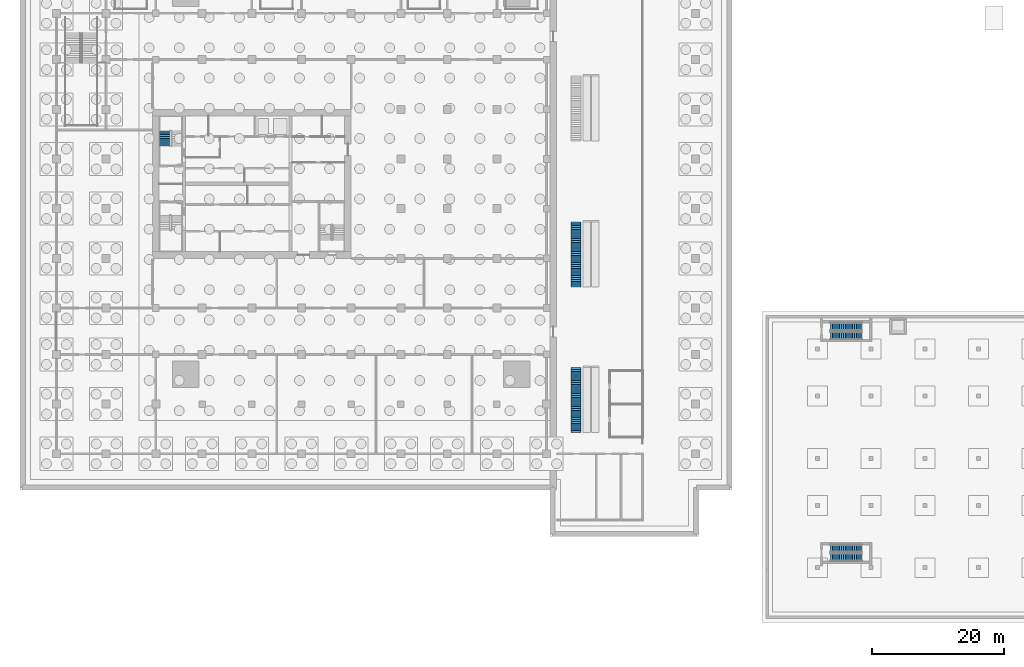
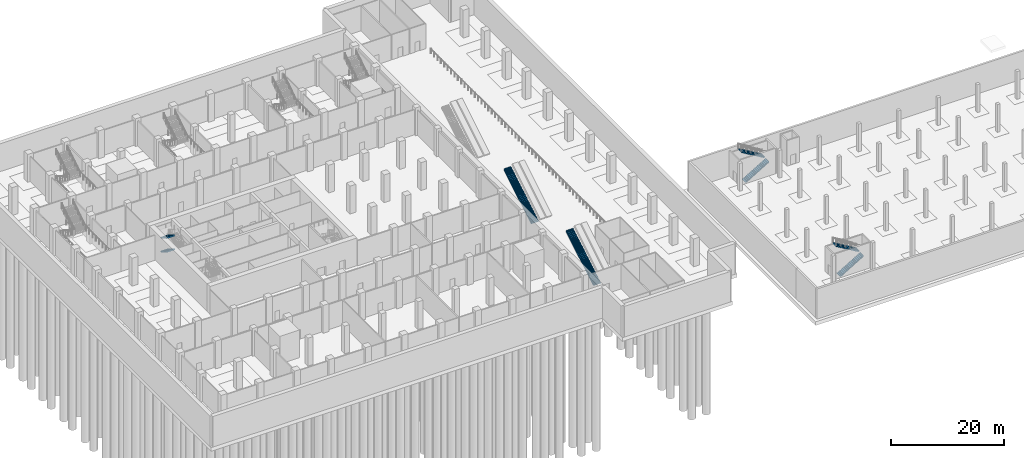
# One storey, part 22 of 39: 8 stair flights, 5 elements without a shape of their own.
"""IFC4 building model written with IfcOpenShell, lengths in metres."""

from ifc_helpers import new_model, si_unit, direction, frame, origin, place, context, subcontext, project, spatial, polyline, outline, extrude, material, type_object, element, aggregate, save


model = new_model("IFC4")

# Units and contexts
model_context = context("Model", 3, precision=1e-05, world=origin(), true_north=direction((0.0, 1.0)))
body_context = subcontext(model_context, "Body", "Model", "MODEL_VIEW")
ifc_project = project(units=[si_unit("LENGTHUNIT", "METRE"), si_unit("AREAUNIT", "SQUARE_METRE"), si_unit("VOLUMEUNIT", "CUBIC_METRE"), si_unit("PLANEANGLEUNIT", "RADIAN"), si_unit("MASSUNIT", "GRAM", prefix="KILO")], contexts=[model_context])

# Site, building, storey
site_placement = place(None, origin())
site = spatial("IfcSite", under=ifc_project, at=site_placement, CompositionType="ELEMENT")
building_placement = place(site_placement, origin())
building = spatial("IfcBuilding", under=site, at=building_placement, Name="Tamorin Gate", CompositionType="ELEMENT")
storey_placement = place(building_placement, frame((0.0, 0.0, -12.0)))
storey = spatial("IfcBuildingStorey", under=building, at=storey_placement, Name="B2", CompositionType="ELEMENT", Elevation=-12.0)

# Stair, stair flights
ifc_material_1 = material(Name="Concrete C40/50", Category="concrete")
stair_type_1 = type_object("IfcStairType", Name="Exit stair", PredefinedType="HALF_TURN_STAIR", material=ifc_material_1)
stair_1_placement = place(storey_placement, origin())
stair_1 = element("IfcStair", 1, at=stair_1_placement, inside=storey, type_object=stair_type_1, Name="B2 stair ST2", PredefinedType="HALF_TURN_STAIR")
stair_flight_type_1 = type_object("IfcStairFlightType", Name="Exit stair flight", PredefinedType="STRAIGHT", material=ifc_material_1)
stair_flight_1_placement = place(storey_placement, frame((31.824951171875, 79.239990234375, 1.5), z_axis=(0.0, 0.0, 1.0), x_axis=(0.0, -1.0, 0.0)))
stair_flight_1 = element("IfcStairFlight", 2, at=stair_flight_1_placement, type_object=stair_flight_type_1, Name="ST2 flight 2", NumberOfRisers=9, NumberOfTreads=8, PredefinedType="STRAIGHT", RiserHeight=0.166666667, TreadLength=0.28, context=body_context, shape_type="SweptSolid", body=[
    extrude(outline(polyline([(-0.00048828125, 0.0), (-0.00048828125, 0.001708984375), (-0.00048828125, 0.00341796875), (-0.00048828125, 0.0048828125), (-0.00048828125, 0.006591796875), (-0.00048828125, 0.00830078125), (-0.00048828125, 0.010009765625), (-0.00048828125, 0.011474609375), (-0.00048828125, 0.01318359375), (-0.00048828125, 0.014892578125), (-0.00048828125, 0.0166015625), (-0.00048828125, 0.01806640625), (-0.00048828125, 0.019775390625), (-0.00048828125, 0.021484375), (-0.00048828125, 0.023193359375), (-0.00048828125, 0.024658203125), (-0.00048828125, 0.0263671875), (-0.00048828125, 0.028076171875), (-0.00048828125, 0.02978515625), (-0.00048828125, 0.03125), (-0.00048828125, 0.032958984375), (-0.00048828125, 0.03466796875), (-0.00048828125, 0.036376953125), (-0.00048828125, 0.037841796875), (-0.00048828125, 0.03955078125), (-0.00048828125, 0.041259765625), (-0.00048828125, 0.04296875), (-0.00048828125, 0.04443359375), (-0.00048828125, 0.046142578125), (-0.00048828125, 0.0478515625), (-0.00048828125, 0.049560546875), (-0.00048828125, 0.05126953125), (-0.00048828125, 0.052734375), (-0.00048828125, 0.054443359375), (-0.00048828125, 0.05615234375), (-0.00048828125, 0.057861328125), (-0.00048828125, 0.059326171875), (-0.00048828125, 0.06103515625), (-0.00048828125, 0.062744140625), (-0.00048828125, 0.064453125), (-0.00048828125, 0.06591796875), (-0.00048828125, 0.067626953125), (-0.00048828125, 0.0693359375), (-0.00048828125, 0.071044921875), (-0.00048828125, 0.072509765625), (-0.00048828125, 0.07421875), (-0.00048828125, 0.075927734375), (-0.00048828125, 0.07763671875), (-0.00048828125, 0.0791015625), (-0.00048828125, 0.080810546875), (-0.00048828125, 0.08251953125), (-0.00048828125, 0.084228515625), (-0.00048828125, 0.085693359375), (-0.00048828125, 0.08740234375), (-0.00048828125, 0.089111328125), (-0.00048828125, 0.0908203125), (-0.00048828125, 0.092529296875), (-0.00048828125, 0.093994140625), (-0.00048828125, 0.095703125), (-0.00048828125, 0.097412109375), (-0.00048828125, 0.09912109375), (-0.00048828125, 0.1005859375), (-0.00048828125, 0.102294921875), (-0.00048828125, 0.10400390625), (-0.00048828125, 0.105712890625), (-0.00048828125, 0.107177734375), (-0.00048828125, 0.10888671875), (-0.00048828125, 0.110595703125), (-0.00048828125, 0.1123046875), (-0.00048828125, 0.11376953125), (-0.00048828125, 0.115478515625), (-0.00048828125, 0.1171875), (-0.00048828125, 0.118896484375), (-0.00048828125, 0.120361328125), (-0.00048828125, 0.1220703125), (-0.00048828125, 0.123779296875), (-0.00048828125, 0.12548828125), (-0.00048828125, 0.126953125), (-0.00048828125, 0.128662109375), (-0.00048828125, 0.13037109375), (-0.00048828125, 0.132080078125), (-0.00048828125, 0.133544921875), (-0.00048828125, 0.13525390625), (-0.00048828125, 0.136962890625), (-0.00048828125, 0.138671875), (-0.00048828125, 0.140380859375), (-0.00048828125, 0.141845703125), (-0.00048828125, 0.1435546875), (-0.00048828125, 0.145263671875), (-0.00048828125, 0.14697265625), (-0.00048828125, 0.1484375), (-0.00048828125, 0.150146484375), (-0.00048828125, 0.15185546875), (-0.00048828125, 0.153564453125), (-0.00048828125, 0.155029296875), (-0.00048828125, 0.15673828125), (-0.00048828125, 0.158447265625), (-0.00048828125, 0.16015625), (-0.00048828125, 0.16162109375), (-0.00048828125, 0.163330078125), (-0.00048828125, 0.1650390625), (-0.00048828125, 0.166748046875), (0.280029296875, 0.166748046875), (0.280029296875, 0.333251953125), (0.56005859375, 0.333251953125), (0.56005859375, 0.5), (0.840087890625, 0.5), (0.840087890625, 0.666748046875), (1.1201171875, 0.666748046875), (1.1201171875, 0.833251953125), (1.39990234375, 0.833251953125), (1.39990234375, 1.0), (1.679931640625, 1.0), (1.679931640625, 1.166748046875), (1.9599609375, 1.166748046875), (1.9599609375, 1.333251953125), (2.239990234375, 1.333251953125), (2.239990234375, 1.5), (2.240478515625, 1.5), (2.240478515625, 1.49658203125), (2.240478515625, 1.4931640625), (2.240478515625, 1.48974609375), (2.240478515625, 1.486572265625), (2.240478515625, 1.483154296875), (2.240478515625, 1.479736328125), (2.240478515625, 1.476318359375), (2.240478515625, 1.472900390625), (2.240478515625, 1.469482421875), (2.240478515625, 1.46630859375), (2.240478515625, 1.462890625), (2.240478515625, 1.45947265625), (2.240478515625, 1.4560546875), (2.240478515625, 1.45263671875), (2.240478515625, 1.44921875), (2.240478515625, 1.446044921875), (2.240478515625, 1.442626953125), (2.240478515625, 1.439208984375), (2.240478515625, 1.435791015625), (2.240478515625, 1.432373046875), (2.240478515625, 1.428955078125), (2.240478515625, 1.42578125), (2.240478515625, 1.42236328125), (2.240478515625, 1.4189453125), (2.240478515625, 1.41552734375), (2.240478515625, 1.412109375), (2.240478515625, 1.40869140625), (2.240478515625, 1.405517578125), (2.240478515625, 1.402099609375), (2.240478515625, 1.398681640625), (2.240478515625, 1.395263671875), (2.240478515625, 1.391845703125), (2.240478515625, 1.388427734375), (2.240478515625, 1.38525390625), (2.240478515625, 1.3818359375), (2.240478515625, 1.37841796875), (2.240478515625, 1.375), (2.240478515625, 1.37158203125), (2.240478515625, 1.3681640625), (2.240478515625, 1.364990234375), (2.240478515625, 1.361572265625), (2.240478515625, 1.358154296875), (2.240478515625, 1.354736328125), (2.240478515625, 1.351318359375), (2.240478515625, 1.347900390625), (2.240478515625, 1.3447265625), (2.240478515625, 1.34130859375), (2.240478515625, 1.337890625), (2.240478515625, 1.33447265625), (2.240478515625, 1.3310546875), (2.240478515625, 1.32763671875), (2.240478515625, 1.324462890625), (2.240478515625, 1.321044921875), (2.240478515625, 1.317626953125), (2.240478515625, 1.314208984375), (2.240478515625, 1.310791015625), (2.240478515625, 1.307373046875), (2.240478515625, 1.30419921875), (2.240478515625, 1.30078125), (2.240478515625, 1.29736328125), (2.240478515625, 1.2939453125), (2.240478515625, 1.29052734375), (2.240478515625, 1.287109375), (2.240478515625, 1.283935546875), (2.240478515625, 1.280517578125), (2.240478515625, 1.277099609375), (2.240478515625, 1.273681640625), (2.240478515625, 1.270263671875), (2.240478515625, 1.266845703125), (2.240478515625, 1.263671875), (2.240478515625, 1.26025390625), (2.240478515625, 1.2568359375), (2.240478515625, 1.25341796875), (2.240478515625, 1.25), (2.240478515625, 1.24658203125), (2.240478515625, 1.243408203125), (2.240478515625, 1.239990234375), (2.240478515625, 1.236572265625), (2.240478515625, 1.233154296875), (2.240478515625, 1.229736328125), (2.240478515625, 1.226318359375), (2.240478515625, 1.22314453125), (2.240478515625, 1.2197265625), (2.240478515625, 1.21630859375), (2.240478515625, 1.212890625), (2.240478515625, 1.20947265625), (2.240478515625, 1.2060546875), (2.240478515625, 1.202880859375), (2.240478515625, 1.199462890625), (2.240478515625, 1.196044921875), (2.240478515625, 1.192626953125), (2.240478515625, 1.189208984375), (2.240478515625, 1.185791015625), (2.240478515625, 1.1826171875), (2.240478515625, 1.17919921875), (2.240478515625, 1.17578125), (2.240478515625, 1.17236328125), (2.240478515625, 1.1689453125), (2.240478515625, 1.16552734375), (2.240478515625, 1.162353515625), (2.240478515625, 1.158935546875), (2.239990234375, 1.158935546875), (0.29296875, 0.0), (-0.00048828125, 0.0)])), frame((0.0, 0.824951171875, 0.0), z_axis=(0.0, -1.0, 0.0), x_axis=(1.0, 0.0, 0.0)), (0.0, 0.0, 1.0), 1.64990234375),
])
stair_flight_2_placement = place(storey_placement, frame((31.824951171875, 79.239990234375, 4.5), z_axis=(0.0, 0.0, 1.0), x_axis=(0.0, -1.0, 0.0)))
stair_flight_2 = element("IfcStairFlight", 3, at=stair_flight_2_placement, type_object=stair_flight_type_1, Name="ST2 flight 4", NumberOfRisers=9, NumberOfTreads=8, PredefinedType="STRAIGHT", RiserHeight=0.166666667, TreadLength=0.28, context=body_context, shape_type="SweptSolid", body=[
    extrude(outline(polyline([(-0.00048828125, 0.0), (-0.00048828125, 0.001708984375), (-0.00048828125, 0.00341796875), (-0.00048828125, 0.0048828125), (-0.00048828125, 0.006591796875), (-0.00048828125, 0.00830078125), (-0.00048828125, 0.010009765625), (-0.00048828125, 0.011474609375), (-0.00048828125, 0.01318359375), (-0.00048828125, 0.014892578125), (-0.00048828125, 0.0166015625), (-0.00048828125, 0.01806640625), (-0.00048828125, 0.019775390625), (-0.00048828125, 0.021484375), (-0.00048828125, 0.023193359375), (-0.00048828125, 0.024658203125), (-0.00048828125, 0.0263671875), (-0.00048828125, 0.028076171875), (-0.00048828125, 0.02978515625), (-0.00048828125, 0.03125), (-0.00048828125, 0.032958984375), (-0.00048828125, 0.03466796875), (-0.00048828125, 0.036376953125), (-0.00048828125, 0.037841796875), (-0.00048828125, 0.03955078125), (-0.00048828125, 0.041259765625), (-0.00048828125, 0.04296875), (-0.00048828125, 0.04443359375), (-0.00048828125, 0.046142578125), (-0.00048828125, 0.0478515625), (-0.00048828125, 0.049560546875), (-0.00048828125, 0.05126953125), (-0.00048828125, 0.052734375), (-0.00048828125, 0.054443359375), (-0.00048828125, 0.05615234375), (-0.00048828125, 0.057861328125), (-0.00048828125, 0.059326171875), (-0.00048828125, 0.06103515625), (-0.00048828125, 0.062744140625), (-0.00048828125, 0.064453125), (-0.00048828125, 0.06591796875), (-0.00048828125, 0.067626953125), (-0.00048828125, 0.0693359375), (-0.00048828125, 0.071044921875), (-0.00048828125, 0.072509765625), (-0.00048828125, 0.07421875), (-0.00048828125, 0.075927734375), (-0.00048828125, 0.07763671875), (-0.00048828125, 0.0791015625), (-0.00048828125, 0.080810546875), (-0.00048828125, 0.08251953125), (-0.00048828125, 0.084228515625), (-0.00048828125, 0.085693359375), (-0.00048828125, 0.08740234375), (-0.00048828125, 0.089111328125), (-0.00048828125, 0.0908203125), (-0.00048828125, 0.092529296875), (-0.00048828125, 0.093994140625), (-0.00048828125, 0.095703125), (-0.00048828125, 0.097412109375), (-0.00048828125, 0.09912109375), (-0.00048828125, 0.1005859375), (-0.00048828125, 0.102294921875), (-0.00048828125, 0.10400390625), (-0.00048828125, 0.105712890625), (-0.00048828125, 0.107177734375), (-0.00048828125, 0.10888671875), (-0.00048828125, 0.110595703125), (-0.00048828125, 0.1123046875), (-0.00048828125, 0.11376953125), (-0.00048828125, 0.115478515625), (-0.00048828125, 0.1171875), (-0.00048828125, 0.118896484375), (-0.00048828125, 0.120361328125), (-0.00048828125, 0.1220703125), (-0.00048828125, 0.123779296875), (-0.00048828125, 0.12548828125), (-0.00048828125, 0.126953125), (-0.00048828125, 0.128662109375), (-0.00048828125, 0.13037109375), (-0.00048828125, 0.132080078125), (-0.00048828125, 0.133544921875), (-0.00048828125, 0.13525390625), (-0.00048828125, 0.136962890625), (-0.00048828125, 0.138671875), (-0.00048828125, 0.140380859375), (-0.00048828125, 0.141845703125), (-0.00048828125, 0.1435546875), (-0.00048828125, 0.145263671875), (-0.00048828125, 0.14697265625), (-0.00048828125, 0.1484375), (-0.00048828125, 0.150146484375), (-0.00048828125, 0.15185546875), (-0.00048828125, 0.153564453125), (-0.00048828125, 0.155029296875), (-0.00048828125, 0.15673828125), (-0.00048828125, 0.158447265625), (-0.00048828125, 0.16015625), (-0.00048828125, 0.16162109375), (-0.00048828125, 0.163330078125), (-0.00048828125, 0.1650390625), (-0.00048828125, 0.166748046875), (0.280029296875, 0.166748046875), (0.280029296875, 0.333251953125), (0.56005859375, 0.333251953125), (0.56005859375, 0.5), (0.840087890625, 0.5), (0.840087890625, 0.666748046875), (1.1201171875, 0.666748046875), (1.1201171875, 0.833251953125), (1.39990234375, 0.833251953125), (1.39990234375, 1.0), (1.679931640625, 1.0), (1.679931640625, 1.166748046875), (1.9599609375, 1.166748046875), (1.9599609375, 1.333251953125), (2.239990234375, 1.333251953125), (2.239990234375, 1.5), (2.240478515625, 1.5), (2.240478515625, 1.49658203125), (2.240478515625, 1.4931640625), (2.240478515625, 1.48974609375), (2.240478515625, 1.486572265625), (2.240478515625, 1.483154296875), (2.240478515625, 1.479736328125), (2.240478515625, 1.476318359375), (2.240478515625, 1.472900390625), (2.240478515625, 1.469482421875), (2.240478515625, 1.46630859375), (2.240478515625, 1.462890625), (2.240478515625, 1.45947265625), (2.240478515625, 1.4560546875), (2.240478515625, 1.45263671875), (2.240478515625, 1.44921875), (2.240478515625, 1.446044921875), (2.240478515625, 1.442626953125), (2.240478515625, 1.439208984375), (2.240478515625, 1.435791015625), (2.240478515625, 1.432373046875), (2.240478515625, 1.428955078125), (2.240478515625, 1.42578125), (2.240478515625, 1.42236328125), (2.240478515625, 1.4189453125), (2.240478515625, 1.41552734375), (2.240478515625, 1.412109375), (2.240478515625, 1.40869140625), (2.240478515625, 1.405517578125), (2.240478515625, 1.402099609375), (2.240478515625, 1.398681640625), (2.240478515625, 1.395263671875), (2.240478515625, 1.391845703125), (2.240478515625, 1.388427734375), (2.240478515625, 1.38525390625), (2.240478515625, 1.3818359375), (2.240478515625, 1.37841796875), (2.240478515625, 1.375), (2.240478515625, 1.37158203125), (2.240478515625, 1.3681640625), (2.240478515625, 1.364990234375), (2.240478515625, 1.361572265625), (2.240478515625, 1.358154296875), (2.240478515625, 1.354736328125), (2.240478515625, 1.351318359375), (2.240478515625, 1.347900390625), (2.240478515625, 1.3447265625), (2.240478515625, 1.34130859375), (2.240478515625, 1.337890625), (2.240478515625, 1.33447265625), (2.240478515625, 1.3310546875), (2.240478515625, 1.32763671875), (2.240478515625, 1.324462890625), (2.240478515625, 1.321044921875), (2.240478515625, 1.317626953125), (2.240478515625, 1.314208984375), (2.240478515625, 1.310791015625), (2.240478515625, 1.307373046875), (2.240478515625, 1.30419921875), (2.240478515625, 1.30078125), (2.240478515625, 1.29736328125), (2.240478515625, 1.2939453125), (2.240478515625, 1.29052734375), (2.240478515625, 1.287109375), (2.240478515625, 1.283935546875), (2.240478515625, 1.280517578125), (2.240478515625, 1.277099609375), (2.240478515625, 1.273681640625), (2.240478515625, 1.270263671875), (2.240478515625, 1.266845703125), (2.240478515625, 1.263671875), (2.240478515625, 1.26025390625), (2.240478515625, 1.2568359375), (2.240478515625, 1.25341796875), (2.240478515625, 1.25), (2.240478515625, 1.24658203125), (2.240478515625, 1.243408203125), (2.240478515625, 1.239990234375), (2.240478515625, 1.236572265625), (2.240478515625, 1.233154296875), (2.240478515625, 1.229736328125), (2.240478515625, 1.226318359375), (2.240478515625, 1.22314453125), (2.240478515625, 1.2197265625), (2.240478515625, 1.21630859375), (2.240478515625, 1.212890625), (2.240478515625, 1.20947265625), (2.240478515625, 1.2060546875), (2.240478515625, 1.202880859375), (2.240478515625, 1.199462890625), (2.240478515625, 1.196044921875), (2.240478515625, 1.192626953125), (2.240478515625, 1.189208984375), (2.240478515625, 1.185791015625), (2.240478515625, 1.1826171875), (2.240478515625, 1.17919921875), (2.240478515625, 1.17578125), (2.240478515625, 1.17236328125), (2.240478515625, 1.1689453125), (2.240478515625, 1.16552734375), (2.240478515625, 1.162353515625), (2.240478515625, 1.158935546875), (2.239990234375, 1.158935546875), (0.29296875, 0.0), (-0.00048828125, 0.0)])), frame((0.0, 0.824951171875, 0.0), z_axis=(0.0, -1.0, 0.0), x_axis=(1.0, 0.0, 0.0)), (0.0, 0.0, 1.0), 1.64990234375),
])
aggregate(stair_1, [stair_flight_1, stair_flight_2])

stair_type_2 = type_object("IfcStairType", Name="Exit stair 1200 C40/50", PredefinedType="HALF_TURN_STAIR", material=ifc_material_1)
stair_2_placement = place(storey_placement, origin())
stair_2 = element("IfcStair", 4, at=stair_2_placement, inside=storey, type_object=stair_type_2, Name="B2 SB6", PredefinedType="HALF_TURN_STAIR")
stair_flight_type_2 = type_object("IfcStairFlightType", Name="Exit stair flight 1200 C40/50", PredefinedType="STRAIGHT", material=ifc_material_1)
stair_flight_3_placement = place(storey_placement, frame((132.35009765625, 14.85009765625, 0.0), z_axis=(0.0, 0.0, 1.0), x_axis=(1.0, 0.0, 0.0)))
stair_flight_3 = element("IfcStairFlight", 5, at=stair_flight_3_placement, type_object=stair_flight_type_2, Name="SB6 flight 1", NumberOfRisers=18, NumberOfTreads=17, PredefinedType="STRAIGHT", RiserHeight=0.166666667, TreadLength=0.28, context=body_context, shape_type="SweptSolid", body=[
    extrude(outline(polyline([(-0.00048828125, 0.0), (-0.00048828125, 0.166748046875), (0.280029296875, 0.166748046875), (0.280029296875, 0.333251953125), (0.56005859375, 0.333251953125), (0.56005859375, 0.5), (0.840087890625, 0.5), (0.840087890625, 0.666748046875), (1.1201171875, 0.666748046875), (1.1201171875, 0.833251953125), (1.39990234375, 0.833251953125), (1.39990234375, 1.0), (1.679931640625, 1.0), (1.679931640625, 1.166748046875), (1.9599609375, 1.166748046875), (1.9599609375, 1.333251953125), (2.239990234375, 1.333251953125), (2.239990234375, 1.5), (2.52001953125, 1.5), (2.52001953125, 1.666748046875), (2.800048828125, 1.666748046875), (2.800048828125, 1.833251953125), (3.080078125, 1.833251953125), (3.080078125, 2.0), (3.360107421875, 2.0), (3.360107421875, 2.166748046875), (3.639892578125, 2.166748046875), (3.639892578125, 2.333251953125), (3.919921875, 2.333251953125), (3.919921875, 2.5), (4.199951171875, 2.5), (4.199951171875, 2.666748046875), (4.47998046875, 2.666748046875), (4.47998046875, 2.833251953125), (4.760009765625, 2.833251953125), (4.760009765625, 3.0), (4.760498046875, 3.0), (4.760498046875, 2.658935546875), (4.760009765625, 2.658935546875), (0.29296875, 0.0), (-0.00048828125, 0.0)])), frame((0.0, 0.60009765625, 0.0), z_axis=(0.0, -1.0, 0.0), x_axis=(1.0, 0.0, 0.0)), (0.0, 0.0, 1.0), 1.199951171875),
])
stair_flight_4_placement = place(storey_placement, frame((137.110107421875, 16.199951171875, 3.0), z_axis=(0.0, 0.0, 1.0), x_axis=(-1.0, 0.0, 0.0)))
stair_flight_4 = element("IfcStairFlight", 6, at=stair_flight_4_placement, type_object=stair_flight_type_2, Name="SB6 flight 2", NumberOfRisers=18, NumberOfTreads=17, PredefinedType="STRAIGHT", RiserHeight=0.166666667, TreadLength=0.28, context=body_context, shape_type="SweptSolid", body=[
    extrude(outline(polyline([(-0.00048828125, 0.0), (-0.00048828125, 0.166748046875), (0.280029296875, 0.166748046875), (0.280029296875, 0.333251953125), (0.56005859375, 0.333251953125), (0.56005859375, 0.5), (0.840087890625, 0.5), (0.840087890625, 0.666748046875), (1.1201171875, 0.666748046875), (1.1201171875, 0.833251953125), (1.39990234375, 0.833251953125), (1.39990234375, 1.0), (1.679931640625, 1.0), (1.679931640625, 1.166748046875), (1.9599609375, 1.166748046875), (1.9599609375, 1.333251953125), (2.239990234375, 1.333251953125), (2.239990234375, 1.5), (2.52001953125, 1.5), (2.52001953125, 1.666748046875), (2.800048828125, 1.666748046875), (2.800048828125, 1.833251953125), (3.080078125, 1.833251953125), (3.080078125, 2.0), (3.360107421875, 2.0), (3.360107421875, 2.166748046875), (3.639892578125, 2.166748046875), (3.639892578125, 2.333251953125), (3.919921875, 2.333251953125), (3.919921875, 2.5), (4.199951171875, 2.5), (4.199951171875, 2.666748046875), (4.47998046875, 2.666748046875), (4.47998046875, 2.833251953125), (4.760009765625, 2.833251953125), (4.760009765625, 3.0), (4.760498046875, 3.0), (4.760498046875, 2.658935546875), (4.760009765625, 2.658935546875), (0.29296875, 0.0), (-0.00048828125, 0.0)])), frame((0.0, 0.60009765625, 0.0), z_axis=(0.0, -1.0, 0.0), x_axis=(1.0, 0.0, 0.0)), (0.0, 0.0, 1.0), 1.199951171875),
])
aggregate(stair_2, [stair_flight_3, stair_flight_4])

stair_3_placement = place(storey_placement, origin())
stair_3 = element("IfcStair", 7, at=stair_3_placement, inside=storey, type_object=stair_type_2, Name="B2 SB7", PredefinedType="HALF_TURN_STAIR")
stair_flight_5_placement = place(storey_placement, frame((132.35009765625, 48.35009765625, 0.0), z_axis=(0.0, 0.0, 1.0), x_axis=(1.0, 0.0, 0.0)))
stair_flight_5 = element("IfcStairFlight", 8, at=stair_flight_5_placement, type_object=stair_flight_type_2, Name="SB7 flight 1", NumberOfRisers=18, NumberOfTreads=17, PredefinedType="STRAIGHT", RiserHeight=0.166666667, TreadLength=0.28, context=body_context, shape_type="SweptSolid", body=[
    extrude(outline(polyline([(-0.00048828125, 0.0), (-0.00048828125, 0.166748046875), (0.280029296875, 0.166748046875), (0.280029296875, 0.333251953125), (0.56005859375, 0.333251953125), (0.56005859375, 0.5), (0.840087890625, 0.5), (0.840087890625, 0.666748046875), (1.1201171875, 0.666748046875), (1.1201171875, 0.833251953125), (1.39990234375, 0.833251953125), (1.39990234375, 1.0), (1.679931640625, 1.0), (1.679931640625, 1.166748046875), (1.9599609375, 1.166748046875), (1.9599609375, 1.333251953125), (2.239990234375, 1.333251953125), (2.239990234375, 1.5), (2.52001953125, 1.5), (2.52001953125, 1.666748046875), (2.800048828125, 1.666748046875), (2.800048828125, 1.833251953125), (3.080078125, 1.833251953125), (3.080078125, 2.0), (3.360107421875, 2.0), (3.360107421875, 2.166748046875), (3.639892578125, 2.166748046875), (3.639892578125, 2.333251953125), (3.919921875, 2.333251953125), (3.919921875, 2.5), (4.199951171875, 2.5), (4.199951171875, 2.666748046875), (4.47998046875, 2.666748046875), (4.47998046875, 2.833251953125), (4.760009765625, 2.833251953125), (4.760009765625, 3.0), (4.760498046875, 3.0), (4.760498046875, 2.658935546875), (4.760009765625, 2.658935546875), (0.29296875, 0.0), (-0.00048828125, 0.0)])), frame((0.0, 0.60009765625, 0.0), z_axis=(0.0, -1.0, 0.0), x_axis=(1.0, 0.0, 0.0)), (0.0, 0.0, 1.0), 1.199951171875),
])
stair_flight_6_placement = place(storey_placement, frame((137.110107421875, 49.699951171875, 3.0), z_axis=(0.0, 0.0, 1.0), x_axis=(-1.0, 0.0, 0.0)))
stair_flight_6 = element("IfcStairFlight", 9, at=stair_flight_6_placement, type_object=stair_flight_type_2, Name="SB7 flight 2", NumberOfRisers=18, NumberOfTreads=17, PredefinedType="STRAIGHT", RiserHeight=0.166666667, TreadLength=0.28, context=body_context, shape_type="SweptSolid", body=[
    extrude(outline(polyline([(-0.00048828125, 0.0), (-0.00048828125, 0.166748046875), (0.280029296875, 0.166748046875), (0.280029296875, 0.333251953125), (0.56005859375, 0.333251953125), (0.56005859375, 0.5), (0.840087890625, 0.5), (0.840087890625, 0.666748046875), (1.1201171875, 0.666748046875), (1.1201171875, 0.833251953125), (1.39990234375, 0.833251953125), (1.39990234375, 1.0), (1.679931640625, 1.0), (1.679931640625, 1.166748046875), (1.9599609375, 1.166748046875), (1.9599609375, 1.333251953125), (2.239990234375, 1.333251953125), (2.239990234375, 1.5), (2.52001953125, 1.5), (2.52001953125, 1.666748046875), (2.800048828125, 1.666748046875), (2.800048828125, 1.833251953125), (3.080078125, 1.833251953125), (3.080078125, 2.0), (3.360107421875, 2.0), (3.360107421875, 2.166748046875), (3.639892578125, 2.166748046875), (3.639892578125, 2.333251953125), (3.919921875, 2.333251953125), (3.919921875, 2.5), (4.199951171875, 2.5), (4.199951171875, 2.666748046875), (4.47998046875, 2.666748046875), (4.47998046875, 2.833251953125), (4.760009765625, 2.833251953125), (4.760009765625, 3.0), (4.760498046875, 3.0), (4.760498046875, 2.658935546875), (4.760009765625, 2.658935546875), (0.29296875, 0.0), (-0.00048828125, 0.0)])), frame((0.0, 0.60009765625, 0.0), z_axis=(0.0, -1.0, 0.0), x_axis=(1.0, 0.0, 0.0)), (0.0, 0.0, 1.0), 1.199951171875),
])
aggregate(stair_3, [stair_flight_5, stair_flight_6])

# Stair, stair flight
ifc_material_2 = material(Name="Reinforced concrete C40/50", Category="concrete")
stair_type_3 = type_object("IfcStairType", Name="Station stair 1500", PredefinedType="STRAIGHT_RUN_STAIR", material=ifc_material_2)
stair_4_placement = place(storey_placement, origin())
stair_4 = element("IfcStair", 10, at=stair_4_placement, inside=storey, type_object=stair_type_3, Name="Station stair B1", PredefinedType="STRAIGHT_RUN_STAIR")
stair_flight_type_3 = type_object("IfcStairFlightType", Name="Station stair flight 1500", PredefinedType="STRAIGHT", material=ifc_material_2)
stair_flight_7_placement = place(storey_placement, frame((93.949951171875, 33.699951171875, 0.0), z_axis=(0.0, 0.0, 1.0), x_axis=(0.0, 1.0, 0.0)))
stair_flight_7 = element("IfcStairFlight", 11, at=stair_flight_7_placement, type_object=stair_flight_type_3, Name="SS1 flight 1", NumberOfRisers=36, NumberOfTreads=35, PredefinedType="STRAIGHT", RiserHeight=0.166666667, TreadLength=0.28, context=body_context, shape_type="SweptSolid", body=[
    extrude(outline(polyline([(-0.00048828125, 0.0), (-0.00048828125, 0.166748046875), (0.280029296875, 0.166748046875), (0.280029296875, 0.333251953125), (0.56005859375, 0.333251953125), (0.56005859375, 0.5), (0.840087890625, 0.5), (0.840087890625, 0.666748046875), (1.1201171875, 0.666748046875), (1.1201171875, 0.833251953125), (1.39990234375, 0.833251953125), (1.39990234375, 1.0), (1.679931640625, 1.0), (1.679931640625, 1.166748046875), (1.9599609375, 1.166748046875), (1.9599609375, 1.333251953125), (2.239990234375, 1.333251953125), (2.239990234375, 1.5), (2.52001953125, 1.5), (2.52001953125, 1.666748046875), (2.800048828125, 1.666748046875), (2.800048828125, 1.833251953125), (3.080078125, 1.833251953125), (3.080078125, 2.0), (3.360107421875, 2.0), (3.360107421875, 2.166748046875), (3.639892578125, 2.166748046875), (3.639892578125, 2.333251953125), (3.919921875, 2.333251953125), (3.919921875, 2.5), (4.199951171875, 2.5), (4.199951171875, 2.666748046875), (4.47998046875, 2.666748046875), (4.47998046875, 2.833251953125), (4.760009765625, 2.833251953125), (4.760009765625, 3.0), (5.0400390625, 3.0), (5.0400390625, 3.166748046875), (5.320068359375, 3.166748046875), (5.320068359375, 3.333251953125), (5.60009765625, 3.333251953125), (5.60009765625, 3.5), (5.8798828125, 3.5), (5.8798828125, 3.666748046875), (6.159912109375, 3.666748046875), (6.159912109375, 3.833251953125), (6.43994140625, 3.833251953125), (6.43994140625, 4.0), (6.719970703125, 4.0), (6.719970703125, 4.166748046875), (7.0, 4.166748046875), (7.0, 4.333251953125), (7.280029296875, 4.333251953125), (7.280029296875, 4.5), (7.56005859375, 4.5), (7.56005859375, 4.666748046875), (7.840087890625, 4.666748046875), (7.840087890625, 4.833251953125), (8.1201171875, 4.833251953125), (8.1201171875, 5.0), (8.39990234375, 5.0), (8.39990234375, 5.166748046875), (8.679931640625, 5.166748046875), (8.679931640625, 5.333251953125), (8.9599609375, 5.333251953125), (8.9599609375, 5.5), (9.239990234375, 5.5), (9.239990234375, 5.666748046875), (9.52001953125, 5.666748046875), (9.52001953125, 5.833251953125), (9.800048828125, 5.833251953125), (9.800048828125, 6.0), (9.800537109375, 6.0), (9.800537109375, 5.658935546875), (9.800048828125, 5.658935546875), (0.29296875, 0.0), (-0.00048828125, 0.0)])), frame((0.0, 0.75, 0.0), z_axis=(0.0, -1.0, 0.0), x_axis=(1.0, 0.0, 0.0)), (0.0, 0.0, 1.0), 1.5),
])
aggregate(stair_4, [stair_flight_7])

stair_5_placement = place(storey_placement, origin())
stair_5 = element("IfcStair", 12, at=stair_5_placement, inside=storey, type_object=stair_type_3, Name="Station stair B2", PredefinedType="STRAIGHT_RUN_STAIR")
stair_flight_8_placement = place(storey_placement, frame((93.949951171875, 55.699951171875, 0.0), z_axis=(0.0, 0.0, 1.0), x_axis=(0.0, 1.0, 0.0)))
stair_flight_8 = element("IfcStairFlight", 13, at=stair_flight_8_placement, type_object=stair_flight_type_3, Name="SS1 flight 1", NumberOfRisers=36, NumberOfTreads=35, PredefinedType="STRAIGHT", RiserHeight=0.166666667, TreadLength=0.28, context=body_context, shape_type="SweptSolid", body=[
    extrude(outline(polyline([(-0.00048828125, 0.0), (-0.00048828125, 0.166748046875), (0.280029296875, 0.166748046875), (0.280029296875, 0.333251953125), (0.56005859375, 0.333251953125), (0.56005859375, 0.5), (0.840087890625, 0.5), (0.840087890625, 0.666748046875), (1.1201171875, 0.666748046875), (1.1201171875, 0.833251953125), (1.39990234375, 0.833251953125), (1.39990234375, 1.0), (1.679931640625, 1.0), (1.679931640625, 1.166748046875), (1.9599609375, 1.166748046875), (1.9599609375, 1.333251953125), (2.239990234375, 1.333251953125), (2.239990234375, 1.5), (2.52001953125, 1.5), (2.52001953125, 1.666748046875), (2.800048828125, 1.666748046875), (2.800048828125, 1.833251953125), (3.080078125, 1.833251953125), (3.080078125, 2.0), (3.360107421875, 2.0), (3.360107421875, 2.166748046875), (3.639892578125, 2.166748046875), (3.639892578125, 2.333251953125), (3.919921875, 2.333251953125), (3.919921875, 2.5), (4.199951171875, 2.5), (4.199951171875, 2.666748046875), (4.47998046875, 2.666748046875), (4.47998046875, 2.833251953125), (4.760009765625, 2.833251953125), (4.760009765625, 3.0), (5.0400390625, 3.0), (5.0400390625, 3.166748046875), (5.320068359375, 3.166748046875), (5.320068359375, 3.333251953125), (5.60009765625, 3.333251953125), (5.60009765625, 3.5), (5.8798828125, 3.5), (5.8798828125, 3.666748046875), (6.159912109375, 3.666748046875), (6.159912109375, 3.833251953125), (6.43994140625, 3.833251953125), (6.43994140625, 4.0), (6.719970703125, 4.0), (6.719970703125, 4.166748046875), (7.0, 4.166748046875), (7.0, 4.333251953125), (7.280029296875, 4.333251953125), (7.280029296875, 4.5), (7.56005859375, 4.5), (7.56005859375, 4.666748046875), (7.840087890625, 4.666748046875), (7.840087890625, 4.833251953125), (8.1201171875, 4.833251953125), (8.1201171875, 5.0), (8.39990234375, 5.0), (8.39990234375, 5.166748046875), (8.679931640625, 5.166748046875), (8.679931640625, 5.333251953125), (8.9599609375, 5.333251953125), (8.9599609375, 5.5), (9.239990234375, 5.5), (9.239990234375, 5.666748046875), (9.52001953125, 5.666748046875), (9.52001953125, 5.833251953125), (9.800048828125, 5.833251953125), (9.800048828125, 6.0), (9.800537109375, 6.0), (9.800537109375, 5.658935546875), (9.800048828125, 5.658935546875), (0.29296875, 0.0), (-0.00048828125, 0.0)])), frame((0.0, 0.75, 0.0), z_axis=(0.0, -1.0, 0.0), x_axis=(1.0, 0.0, 0.0)), (0.0, 0.0, 1.0), 1.5),
])
aggregate(stair_5, [stair_flight_8])

save(model, "model.ifc")
